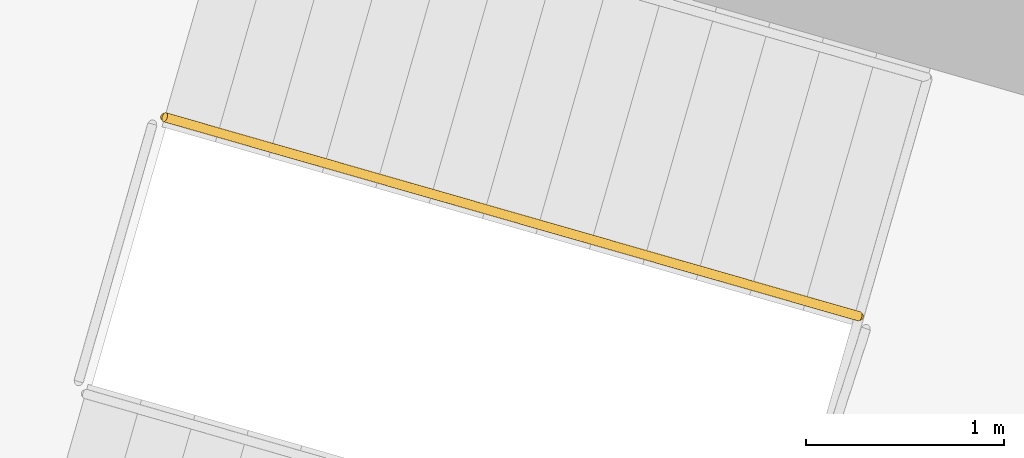
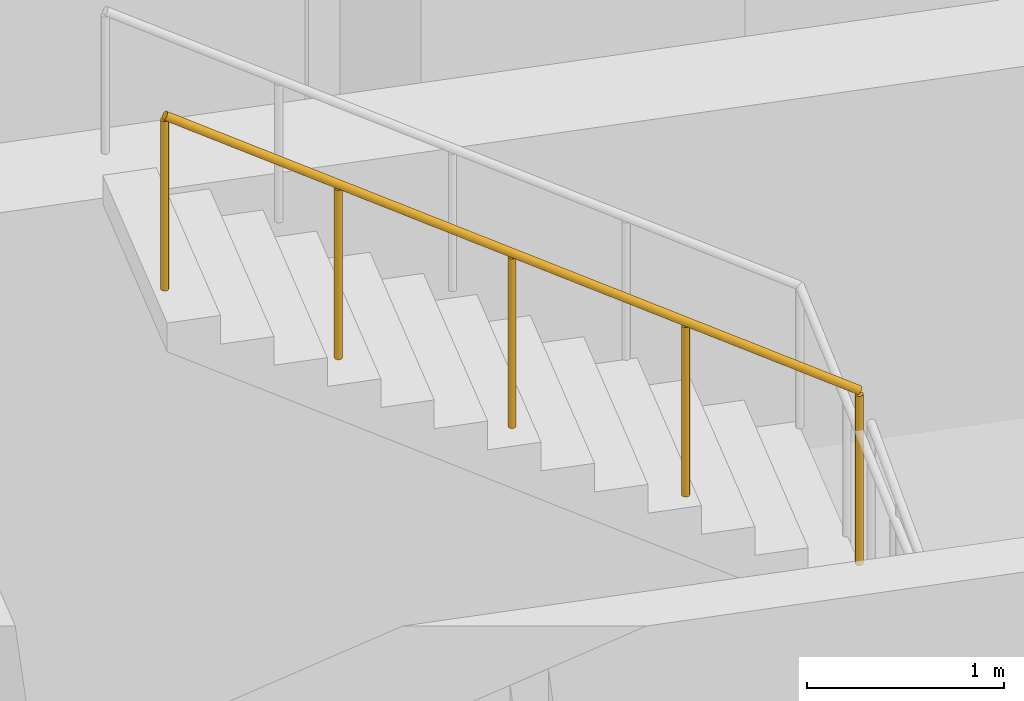
# One storey, part 16 of 16: 1 railing.
"""IFC4 building model written with IfcOpenShell, lengths in metres."""

from ifc_helpers import new_model, si_unit, direction, frame, origin, origin_2d, place, context, subcontext, project, spatial, circle, extrude, material, type_object, element, save


model = new_model("IFC4")

# Units and contexts
model_context = context("Model", 3, precision=1e-05, world=origin(), true_north=direction((0.0, 1.0)))
body_context = subcontext(model_context, "Body", "Model", "MODEL_VIEW")
ifc_project = project(units=[si_unit("LENGTHUNIT", "METRE"), si_unit("AREAUNIT", "SQUARE_METRE"), si_unit("VOLUMEUNIT", "CUBIC_METRE"), si_unit("PLANEANGLEUNIT", "RADIAN"), si_unit("MASSUNIT", "GRAM", prefix="KILO")], contexts=[model_context])

# Site, building, storey
site_placement = place(None, origin())
site = spatial("IfcSite", under=ifc_project, at=site_placement, CompositionType="ELEMENT")
building_placement = place(site_placement, origin())
building = spatial("IfcBuilding", under=site, at=building_placement, Name="Binnacle Exchange Tower", CompositionType="ELEMENT")
storey_placement = place(building_placement, frame((0.0, 0.0, 21.5)))
storey = spatial("IfcBuildingStorey", under=building, at=storey_placement, Name="L04", CompositionType="ELEMENT", Elevation=21.5)

# Railing
ifc_material = material(Name="Steel guard rail", Category="steel")
railing_type = type_object("IfcRailingType", Name="STAIR GUARD 1100", PredefinedType="GUARDRAIL", material=ifc_material)
railing_placement = place(storey_placement, frame((24.9853515625, 57.100830078125, 2.678466796875)))
element("IfcRailing", 1, at=railing_placement, inside=storey, type_object=railing_type, Name="L04 STD1 stair guard 2", PredefinedType="GUARDRAIL", context=body_context, shape_type="SweptSolid", body=[
    extrude(circle(Radius=0.02392578125, at=origin_2d()), frame((0.0, 0.0, 1.076171875), z_axis=(-0.810455892038, 0.232415135102, 0.537721537635), x_axis=(-0.275659984683, -0.961255206927, 0.0)), (0.0, 0.0, 1.0), 4.3173828125),
    extrude(circle(Radius=0.02099609375, at=origin_2d()), origin(), (0.0, 0.0, 1.0), 1.052001953125),
    extrude(circle(Radius=0.02099609375, at=origin_2d()), frame((-0.874755859375, 0.2509765625, 0.580322265625)), (0.0, 0.0, 1.0), 1.052001953125),
    extrude(circle(Radius=0.02099609375, at=origin_2d()), frame((-1.74951171875, 0.501708984375, 1.16064453125)), (0.0, 0.0, 1.0), 1.052001953125),
    extrude(circle(Radius=0.02099609375, at=origin_2d()), frame((-2.624267578125, 0.75244140625, 1.7412109375)), (0.0, 0.0, 1.0), 1.052001953125),
    extrude(circle(Radius=0.02099609375, at=origin_2d()), frame((-3.4990234375, 1.00341796875, 2.321533203125)), (0.0, 0.0, 1.0), 1.052001953125),
])

save(model, "model.ifc")
